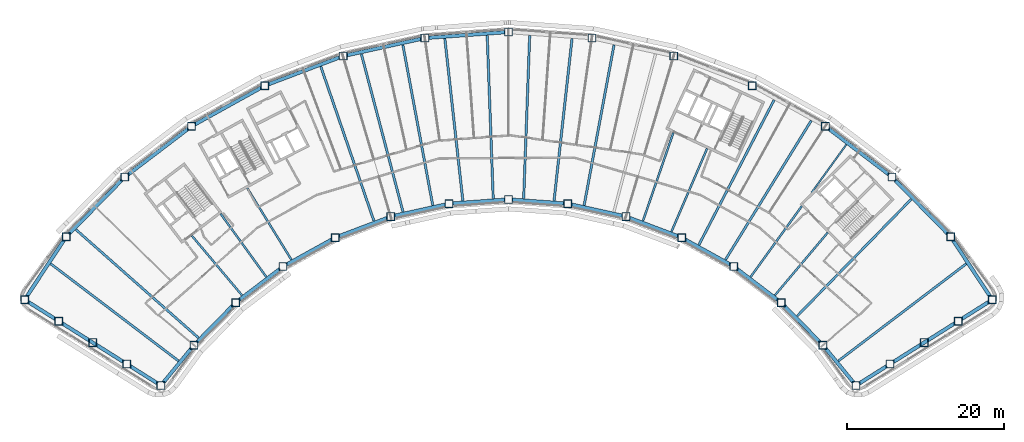
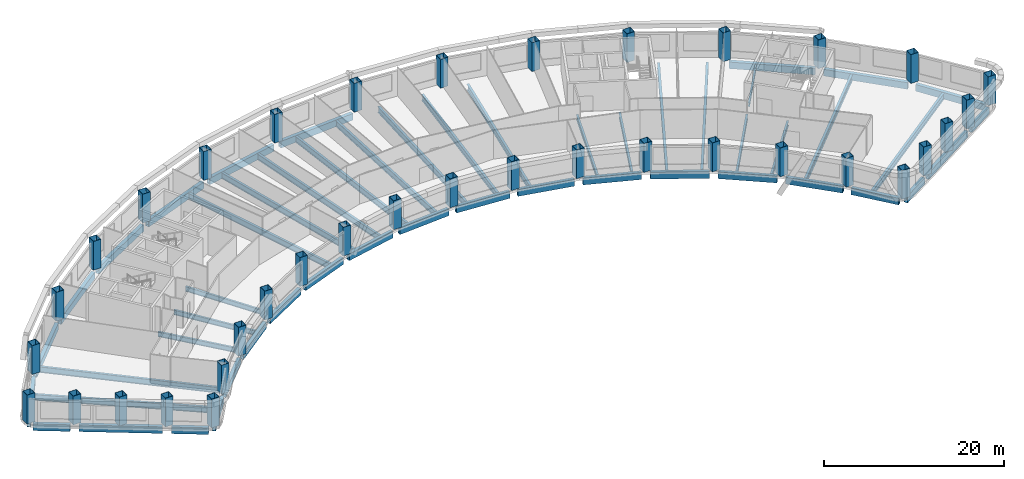
# One storey, part 1 of 11: 52 beams, 36 columns.
"""IFC4 building model written with IfcOpenShell, lengths in metres."""

from ifc_helpers import new_model, si_unit, direction, frame, origin, origin_2d, place, context, subcontext, project, spatial, hollow_rectangle, i_section, extrude, material, material_profile, profile_set, type_object, element, save


model = new_model("IFC4")

# Units and contexts
model_context = context("Model", 3, precision=1e-05, world=origin(), true_north=direction((0.0, 1.0)))
body_context = subcontext(model_context, "Body", "Model", "MODEL_VIEW")
ifc_project = project(units=[si_unit("LENGTHUNIT", "METRE"), si_unit("AREAUNIT", "SQUARE_METRE"), si_unit("VOLUMEUNIT", "CUBIC_METRE"), si_unit("PLANEANGLEUNIT", "RADIAN"), si_unit("MASSUNIT", "GRAM", prefix="KILO")], contexts=[model_context])

# Site, building, storey
site_placement = place(None, origin())
site = spatial("IfcSite", under=ifc_project, at=site_placement, CompositionType="ELEMENT")
building_placement = place(site_placement, origin())
building = spatial("IfcBuilding", under=site, at=building_placement, Name="Tuul Gate Civic Tower", CompositionType="ELEMENT")
storey_placement = place(building_placement, frame((0.0, 0.0, 142.39990234375)))
storey = spatial("IfcBuildingStorey", under=building, at=storey_placement, Name="Level 32", CompositionType="ELEMENT", Elevation=142.39990234375)

# Columns
ifc_material_1 = material(Name="Steel S355", Category="steel")
ifc_material_profile_1 = material_profile(ifc_material_1, hollow_rectangle(XDim=1.0, YDim=1.0, WallThickness=0.0400390625, at=origin_2d()), Name="BOX1000x1000x40")
ifc_profile_set_1 = profile_set([ifc_material_profile_1], Name="Steel S355")
column_type = type_object("IfcColumnType", Name="STR-COLUMN-BOX1000x1000x40", PredefinedType="COLUMN", material=ifc_profile_set_1)
for number, where, z_axis, x_axis, name in (
    (1, (67.044921875, -24.89697265625, 0.0), (0.0, 0.0, 1.0), (1.0, 0.0, 0.0), "Column"),
    (2, (61.74609375, -16.884033203125, 0.0), (0.0, 0.0, 1.0), (1.0, 0.0, 0.0), "Column"),
    (3, (54.27197265625, -9.259033203125, 0.0), (0.0, 0.0, 1.0), (1.0, 0.0, 0.0), "Column"),
    (4, (45.77587890625, -2.791015625, 0.0), (0.0, 0.0, 1.0), (1.0, 0.0, 0.0), "Column"),
    (5, (36.43798828125, 2.385009765625, 0.0), (0.0, 0.0, 1.0), (1.0, 0.0, 0.0), "Column"),
    (6, (26.450927734375, 6.162109375, 0.0), (0.0, 0.0, 1.0), (1.0, 0.0, 0.0), "Column"),
    (7, (16.02294921875, 8.4599609375, 0.0), (0.0, 0.0, 1.0), (1.0, 0.0, 0.0), "Column"),
    (8, (5.3740234375, 9.23193359375, 0.0), (0.0, 0.0, 1.0), (1.0, 0.0, 0.0), "Column"),
    (9, (-5.27490234375, 8.4599609375, 0.0), (0.0, 0.0, 1.0), (1.0, 0.0, 0.0), "Column"),
    (10, (-15.702880859375, 6.162109375, 0.0), (0.0, 0.0, 1.0), (1.0, 0.0, 0.0), "Column"),
    (11, (-25.68994140625, 2.385009765625, 0.0), (0.0, 0.0, 1.0), (1.0, 0.0, 0.0), "Column"),
    (12, (-35.028076171875, -2.791015625, 0.0), (0.0, 0.0, 1.0), (1.0, 0.0, 0.0), "Column"),
    (13, (-43.52392578125, -9.259033203125, 0.0), (0.0, 0.0, 1.0), (1.0, 0.0, 0.0), "Column"),
    (14, (-50.998046875, -16.884033203125, 0.0), (0.0, 0.0, 1.0), (1.0, 0.0, 0.0), "Column"),
    (15, (-56.297119140625, -24.89697265625, 0.0), (0.0, 0.0, 1.0), (1.0, 0.0, 0.0), "Column"),
    (16, (-51.9541015625, -27.631103515625, 0.0), (0.0, 0.0, 1.0), (1.0, 0.0, 0.0), "Column"),
    (17, (-47.612060546875, -30.365966796875, 0.0), (0.0, 0.0, 1.0), (1.0, 0.0, 0.0), "Column"),
    (18, (-43.26904296875, -33.10009765625, 0.0), (0.0, 0.0, 1.0), (1.0, 0.0, 0.0), "Column"),
    (19, (-38.927001953125, -35.8349609375, 0.0), (0.0, 0.0, 1.0), (1.0, 0.0, 0.0), "Column"),
    (20, (-34.70703125, -30.693115234375, 0.0), (0.0, 0.0, 1.0), (1.0, 0.0, 0.0), "Column"),
    (21, (-29.39306640625, -25.27099609375, 0.0), (0.0, 0.0, 1.0), (1.0, 0.0, 0.0), "Column"),
    (22, (-23.35302734375, -20.672119140625, 0.0), (0.0, 0.0, 1.0), (1.0, 0.0, 0.0), "Column"),
    (23, (-16.712890625, -16.991943359375, 0.0), (0.0, 0.0, 1.0), (1.0, 0.0, 0.0), "Column"),
    (24, (-9.612060546875, -14.306884765625, 0.0), (0.0, 0.0, 1.0), (1.0, 0.0, 0.0), "Column"),
    (25, (-2.197998046875, -12.673095703125, 0.0), (0.0, 0.0, 1.0), (1.0, 0.0, 0.0), "Column"),
    (26, (5.3740234375, -12.1240234375, 0.0), (0.0, 0.0, 1.0), (1.0, 0.0, 0.0), "Column"),
    (27, (12.946044921875, -12.673095703125, 0.0), (0.0, 0.0, 1.0), (1.0, 0.0, 0.0), "Column"),
    (28, (20.360107421875, -14.306884765625, 0.0), (0.0, 0.0, 1.0), (1.0, 0.0, 0.0), "Column"),
    (29, (27.4609375, -16.991943359375, 0.0), (0.0, 0.0, 1.0), (1.0, 0.0, 0.0), "Column"),
    (30, (34.10107421875, -20.672119140625, 0.0), (0.0, 0.0, 1.0), (1.0, 0.0, 0.0), "Column"),
    (31, (40.14111328125, -25.27099609375, 0.0), (0.0, 0.0, 1.0), (1.0, 0.0, 0.0), "Column"),
    (32, (45.455078125, -30.693115234375, 0.0), (0.0, 0.0, 1.0), (1.0, 0.0, 0.0), "Column"),
    (33, (49.675048828125, -35.8349609375, 0.0), (0.0, 0.0, 1.0), (1.0, 0.0, 0.0), "Column"),
    (34, (54.01708984375, -33.10009765625, 0.0), (0.0, 0.0, 1.0), (1.0, 0.0, 0.0), "Column"),
    (35, (58.360107421875, -30.365966796875, 0.0), (0.0, 0.0, 1.0), (1.0, 0.0, 0.0), "Column"),
    (36, (62.701904296875, -27.631103515625, 0.0), (0.0, 0.0, 1.0), (1.0, 0.0, 0.0), "Column"),
):
    element("IfcColumn", number, at=place(storey_placement, frame(where, z_axis=z_axis, x_axis=x_axis)), inside=storey, type_object=column_type, Name=name, PredefinedType="COLUMN", context=body_context, shape_type="SweptSolid", body=[
        extrude(hollow_rectangle(XDim=1.0, YDim=1.0, WallThickness=0.0400390625, at=origin_2d()), origin(), (0.0, 0.0, 1.0), 3.900146484375),
    ])

# Beams
ifc_material_2 = material(Name="Steel S355", Category="steel")
ifc_material_profile_2 = material_profile(ifc_material_2, i_section(OverallWidth=0.199951171875, OverallDepth=0.5, WebThickness=0.010009765625, FlangeThickness=0.01611328125, at=origin_2d()), Name="PG500x200x10x16")
ifc_profile_set_2 = profile_set([ifc_material_profile_2], Name="Steel S355")
beam_type_1 = type_object("IfcBeamType", Name="STR-FLOOR BEAM-PG500x200x10x16", PredefinedType="BEAM", material=ifc_profile_set_2)
beam_1_placement = place(storey_placement, frame((43.999267578125, -11.26806640625, -0.5498046875), z_axis=(0.586082415156, 0.810251444087, 0.0), x_axis=(-0.810251444087, 0.586082415156, 0.0)))
element("IfcBeam", 37, at=beam_1_placement, inside=storey, type_object=beam_type_1, Name="Floor beam", PredefinedType="BEAM", context=body_context, shape_type="SweptSolid", body=[
    extrude(i_section(OverallWidth=0.199951171875, OverallDepth=0.5, WebThickness=0.010009765625, FlangeThickness=0.01611328125, at=origin_2d()), origin(), (0.0, 0.0, 1.0), 7.573486328125),
])
ifc_material_3 = material(Name="Steel S355", Category="steel")
ifc_material_profile_3 = material_profile(ifc_material_3, i_section(OverallWidth=0.25, OverallDepth=0.64990234375, WebThickness=0.011962890625, FlangeThickness=0.02001953125, at=origin_2d()), Name="PG650x250x12x20")
ifc_profile_set_3 = profile_set([ifc_material_profile_3], Name="Steel S355")
beam_type_2 = type_object("IfcBeamType", Name="STR-FLOOR BEAM-PG650x250x12x20", PredefinedType="BEAM", material=ifc_profile_set_3)
beam_2_placement = place(storey_placement, frame((39.332275390625, -24.341064453125, -0.625), z_axis=(0.644139340378, 0.764908171075, 0.0), x_axis=(-0.764908171075, 0.644139340378, 0.0)))
element("IfcBeam", 38, at=beam_2_placement, inside=storey, type_object=beam_type_2, Name="Floor beam", PredefinedType="BEAM", context=body_context, shape_type="SweptSolid", body=[
    extrude(i_section(OverallWidth=0.25, OverallDepth=0.64990234375, WebThickness=0.011962890625, FlangeThickness=0.02001953125, at=origin_2d()), origin(), (0.0, 0.0, 1.0), 10.45751953125),
])
beam_3_placement = place(storey_placement, frame((36.244140625, -21.989501953125, -0.625), z_axis=(0.586079949971, 0.810253227234, 0.0), x_axis=(-0.810253227234, 0.586079949971, 0.0)))
element("IfcBeam", 39, at=beam_3_placement, inside=storey, type_object=beam_type_2, Name="Floor beam", PredefinedType="BEAM", context=body_context, shape_type="SweptSolid", body=[
    extrude(i_section(OverallWidth=0.25, OverallDepth=0.64990234375, WebThickness=0.011962890625, FlangeThickness=0.02001953125, at=origin_2d()), origin(), (0.0, 0.0, 1.0), 11.128173828125),
])
beam_4_placement = place(storey_placement, frame((26.150634765625, -16.229248046875, -0.625), z_axis=(0.394192627131, 0.919027841099, 0.0), x_axis=(-0.919027841099, 0.394192627131, 0.0)))
element("IfcBeam", 40, at=beam_4_placement, inside=storey, type_object=beam_type_2, Name="Floor beam", PredefinedType="BEAM", context=body_context, shape_type="SweptSolid", body=[
    extrude(i_section(OverallWidth=0.25, OverallDepth=0.64990234375, WebThickness=0.011962890625, FlangeThickness=0.02001953125, at=origin_2d()), origin(), (0.0, 0.0, 1.0), 11.533935546875),
])
beam_5_placement = place(storey_placement, frame((22.520263671875, -14.8564453125, -0.625), z_axis=(0.32548222654, 0.945548158587, 0.0), x_axis=(-0.945548158587, 0.32548222654, 0.0)))
element("IfcBeam", 41, at=beam_5_placement, inside=storey, type_object=beam_type_2, Name="Floor beam", PredefinedType="BEAM", context=body_context, shape_type="SweptSolid", body=[
    extrude(i_section(OverallWidth=0.25, OverallDepth=0.64990234375, WebThickness=0.011962890625, FlangeThickness=0.02001953125, at=origin_2d()), origin(), (0.0, 0.0, 1.0), 11.883544921875),
])
beam_6_placement = place(storey_placement, frame((-22.29248046875, -19.79833984375, -0.625), z_axis=(-0.524846383073, 0.851196965558, 0.0), x_axis=(-0.851196965558, -0.524846383073, 0.0)))
element("IfcBeam", 42, at=beam_6_placement, inside=storey, type_object=beam_type_2, Name="Floor beam", PredefinedType="BEAM", context=body_context, shape_type="SweptSolid", body=[
    extrude(i_section(OverallWidth=0.25, OverallDepth=0.64990234375, WebThickness=0.011962890625, FlangeThickness=0.02001953125, at=origin_2d()), origin(), (0.0, 0.0, 1.0), 10.7275390625),
])
beam_7_placement = place(storey_placement, frame((-25.49609375, -21.989501953125, -0.625), z_axis=(-0.586076139419, 0.810255983504, 0.0), x_axis=(-0.810255983504, -0.586076139419, 0.0)))
element("IfcBeam", 43, at=beam_7_placement, inside=storey, type_object=beam_type_2, Name="Floor beam", PredefinedType="BEAM", context=body_context, shape_type="SweptSolid", body=[
    extrude(i_section(OverallWidth=0.25, OverallDepth=0.64990234375, WebThickness=0.011962890625, FlangeThickness=0.02001953125, at=origin_2d()), origin(), (0.0, 0.0, 1.0), 9.922119140625),
])
beam_8_placement = place(storey_placement, frame((-28.584228515625, -24.341064453125, -0.625), z_axis=(-0.644136502782, 0.764910560644, 0.0), x_axis=(-0.764910560644, -0.644136502782, 0.0)))
element("IfcBeam", 44, at=beam_8_placement, inside=storey, type_object=beam_type_2, Name="Floor beam", PredefinedType="BEAM", context=body_context, shape_type="SweptSolid", body=[
    extrude(i_section(OverallWidth=0.25, OverallDepth=0.64990234375, WebThickness=0.011962890625, FlangeThickness=0.02001953125, at=origin_2d()), origin(), (0.0, 0.0, 1.0), 9.931396484375),
])
ifc_material_4 = material(Name="Steel S355", Category="steel")
ifc_material_profile_4 = material_profile(ifc_material_4, i_section(OverallWidth=0.300048828125, OverallDepth=0.800048828125, WebThickness=0.013916015625, FlangeThickness=0.02490234375, at=origin_2d()), Name="PG800x300x14x25")
ifc_profile_set_4 = profile_set([ifc_material_profile_4], Name="Steel S355")
beam_type_3 = type_object("IfcBeamType", Name="STR-FLOOR BEAM-PG800x300x14x25", PredefinedType="BEAM", material=ifc_profile_set_4)
beam_9_placement = place(storey_placement, frame((47.4287109375, -32.703857421875, -0.699951171875), z_axis=(0.796150928405, 0.60509809056, 0.0), x_axis=(-0.60509809056, 0.796150928405, 0.0)))
element("IfcBeam", 45, at=beam_9_placement, inside=storey, type_object=beam_type_3, Name="Floor beam", PredefinedType="BEAM", context=body_context, shape_type="SweptSolid", body=[
    extrude(i_section(OverallWidth=0.300048828125, OverallDepth=0.800048828125, WebThickness=0.013916015625, FlangeThickness=0.02490234375, at=origin_2d()), origin(), (0.0, 0.0, 1.0), 20.462646484375),
])
beam_10_placement = place(storey_placement, frame((42.172607421875, -26.986572265625, -0.699951171875), z_axis=(0.698684495675, 0.715429923544, 0.0), x_axis=(-0.715429923544, 0.698684495675, 0.0)))
element("IfcBeam", 46, at=beam_10_placement, inside=storey, type_object=beam_type_3, Name="Floor beam", PredefinedType="BEAM", context=body_context, shape_type="SweptSolid", body=[
    extrude(i_section(OverallWidth=0.300048828125, OverallDepth=0.800048828125, WebThickness=0.013916015625, FlangeThickness=0.02490234375, at=origin_2d()), origin(), (0.0, 0.0, 1.0), 20.804931640625),
])
beam_11_placement = place(storey_placement, frame((33.040283203125, -19.79833984375, -0.699951171875), z_axis=(0.524860669537, 0.851188156387, 0.0), x_axis=(-0.851188156387, 0.524860669537, 0.0)))
element("IfcBeam", 47, at=beam_11_placement, inside=storey, type_object=beam_type_3, Name="Floor beam", PredefinedType="BEAM", context=body_context, shape_type="SweptSolid", body=[
    extrude(i_section(OverallWidth=0.300048828125, OverallDepth=0.800048828125, WebThickness=0.013916015625, FlangeThickness=0.02490234375, at=origin_2d()), origin(), (0.0, 0.0, 1.0), 20.821533203125),
])
beam_12_placement = place(storey_placement, frame((29.6455078125, -17.916748046875, -0.699951171875), z_axis=(0.460777413818, 0.887515732207, 0.0), x_axis=(-0.887515732207, 0.460777413818, 0.0)))
element("IfcBeam", 48, at=beam_12_placement, inside=storey, type_object=beam_type_3, Name="Floor beam", PredefinedType="BEAM", context=body_context, shape_type="SweptSolid", body=[
    extrude(i_section(OverallWidth=0.300048828125, OverallDepth=0.800048828125, WebThickness=0.013916015625, FlangeThickness=0.02490234375, at=origin_2d()), origin(), (0.0, 0.0, 1.0), 20.80712890625),
])
beam_13_placement = place(storey_placement, frame((15.0224609375, -12.874755859375, -0.699951171875), z_axis=(0.183147342328, 0.98308547492, 0.0), x_axis=(-0.98308547492, 0.183147342328, 0.0)))
element("IfcBeam", 49, at=beam_13_placement, inside=storey, type_object=beam_type_3, Name="Floor beam", PredefinedType="BEAM", context=body_context, shape_type="SweptSolid", body=[
    extrude(i_section(OverallWidth=0.300048828125, OverallDepth=0.800048828125, WebThickness=0.013916015625, FlangeThickness=0.02490234375, at=origin_2d()), origin(), (0.0, 0.0, 1.0), 20.811279296875),
])
beam_14_placement = place(storey_placement, frame((11.185302734375, -12.294677734375, -0.699951171875), z_axis=(0.110287344613, 0.993899744249, 0.0), x_axis=(-0.993899744249, 0.110287344613, 0.0)))
element("IfcBeam", 50, at=beam_14_placement, inside=storey, type_object=beam_type_3, Name="Floor beam", PredefinedType="BEAM", context=body_context, shape_type="SweptSolid", body=[
    extrude(i_section(OverallWidth=0.300048828125, OverallDepth=0.800048828125, WebThickness=0.013916015625, FlangeThickness=0.02490234375, at=origin_2d()), origin(), (0.0, 0.0, 1.0), 20.815185546875),
])
for number, where, z_axis, x_axis, name in (
    (51, (7.314453125, -12.013916015625, -0.699951171875), (0.036820764609, 0.999321885727, 0.0), (-0.999321885727, 0.036820764609, 0.0), "Floor beam"),
    (52, (3.43359375, -12.013916015625, -0.699951171875), (-0.036832478792, 0.999321454041, 0.0), (-0.999321454041, -0.036832478792, 0.0), "Floor beam"),
):
    element("IfcBeam", number, at=place(storey_placement, frame(where, z_axis=z_axis, x_axis=x_axis)), inside=storey, type_object=beam_type_3, Name=name, PredefinedType="BEAM", context=body_context, shape_type="SweptSolid", body=[
        extrude(i_section(OverallWidth=0.300048828125, OverallDepth=0.800048828125, WebThickness=0.013916015625, FlangeThickness=0.02490234375, at=origin_2d()), origin(), (0.0, 0.0, 1.0), 20.813232421875),
    ])
beam_15_placement = place(storey_placement, frame((-0.437255859375, -12.294677734375, -0.699951171875), z_axis=(-0.110287344613, 0.993899744249, 0.0), x_axis=(-0.993899744249, -0.110287344613, 0.0)))
element("IfcBeam", 53, at=beam_15_placement, inside=storey, type_object=beam_type_3, Name="Floor beam", PredefinedType="BEAM", context=body_context, shape_type="SweptSolid", body=[
    extrude(i_section(OverallWidth=0.300048828125, OverallDepth=0.800048828125, WebThickness=0.013916015625, FlangeThickness=0.02490234375, at=origin_2d()), origin(), (0.0, 0.0, 1.0), 20.815185546875),
])
beam_16_placement = place(storey_placement, frame((-4.2744140625, -12.874755859375, -0.699951171875), z_axis=(-0.183147342328, 0.98308547492, 0.0), x_axis=(-0.98308547492, -0.183147342328, 0.0)))
element("IfcBeam", 54, at=beam_16_placement, inside=storey, type_object=beam_type_3, Name="Floor beam", PredefinedType="BEAM", context=body_context, shape_type="SweptSolid", body=[
    extrude(i_section(OverallWidth=0.300048828125, OverallDepth=0.800048828125, WebThickness=0.013916015625, FlangeThickness=0.02490234375, at=origin_2d()), origin(), (0.0, 0.0, 1.0), 20.811279296875),
])
beam_17_placement = place(storey_placement, frame((-8.064697265625, -13.7099609375, -0.699951171875), z_axis=(-0.255004720301, 0.96693980817, 0.0), x_axis=(-0.96693980817, -0.255004720301, 0.0)))
element("IfcBeam", 55, at=beam_17_placement, inside=storey, type_object=beam_type_3, Name="Floor beam", PredefinedType="BEAM", context=body_context, shape_type="SweptSolid", body=[
    extrude(i_section(OverallWidth=0.300048828125, OverallDepth=0.800048828125, WebThickness=0.013916015625, FlangeThickness=0.02490234375, at=origin_2d()), origin(), (0.0, 0.0, 1.0), 20.817626953125),
])
beam_18_placement = place(storey_placement, frame((-11.772216796875, -14.8564453125, -0.699951171875), z_axis=(-0.325486974479, 0.945546524209, 0.0), x_axis=(-0.945546524209, -0.325486974479, 0.0)))
element("IfcBeam", 56, at=beam_18_placement, inside=storey, type_object=beam_type_3, Name="Floor beam", PredefinedType="BEAM", context=body_context, shape_type="SweptSolid", body=[
    extrude(i_section(OverallWidth=0.300048828125, OverallDepth=0.800048828125, WebThickness=0.013916015625, FlangeThickness=0.02490234375, at=origin_2d()), origin(), (0.0, 0.0, 1.0), 20.809326171875),
])
beam_19_placement = place(storey_placement, frame((-34.1416015625, -29.759033203125, -0.699951171875), z_axis=(-0.749453243269, 0.662057275584, 0.0), x_axis=(-0.662057275584, -0.749453243269, 0.0)))
element("IfcBeam", 57, at=beam_19_placement, inside=storey, type_object=beam_type_3, Name="Floor beam", PredefinedType="BEAM", context=body_context, shape_type="SweptSolid", body=[
    extrude(i_section(OverallWidth=0.300048828125, OverallDepth=0.800048828125, WebThickness=0.013916015625, FlangeThickness=0.02490234375, at=origin_2d()), origin(), (0.0, 0.0, 1.0), 20.828369140625),
])
beam_20_placement = place(storey_placement, frame((-36.6806640625, -32.703857421875, -0.699951171875), z_axis=(-0.796150928405, 0.60509809056, 0.0), x_axis=(-0.60509809056, -0.796150928405, 0.0)))
element("IfcBeam", 58, at=beam_20_placement, inside=storey, type_object=beam_type_3, Name="Floor beam", PredefinedType="BEAM", context=body_context, shape_type="SweptSolid", body=[
    extrude(i_section(OverallWidth=0.300048828125, OverallDepth=0.800048828125, WebThickness=0.013916015625, FlangeThickness=0.02490234375, at=origin_2d()), origin(), (0.0, 0.0, 1.0), 20.462646484375),
])
ifc_material_5 = material(Name="Steel S355", Category="steel")
ifc_material_profile_5 = material_profile(ifc_material_5, hollow_rectangle(XDim=0.449951171875, YDim=0.89990234375, WallThickness=0.02490234375, at=origin_2d()), Name="BOX900x450x25")
ifc_profile_set_5 = profile_set([ifc_material_profile_5], Name="Steel S355")
beam_type_4 = type_object("IfcBeamType", Name="STR-SPANDREL BEAM-BOX900x450x25", PredefinedType="BEAM", material=ifc_profile_set_5)
beam_21_placement = place(storey_placement, frame((66.769287109375, -24.47998046875, -0.75), z_axis=(-0.551606651845, 0.834104370951, 0.0), x_axis=(-0.834104370951, -0.551606651845, 0.0)))
element("IfcBeam", 59, at=beam_21_placement, inside=storey, type_object=beam_type_4, Name="Spandrel beam", PredefinedType="BEAM", context=body_context, shape_type="SweptSolid", body=[
    extrude(hollow_rectangle(XDim=0.449951171875, YDim=0.89990234375, WallThickness=0.02490234375, at=origin_2d()), origin(), (0.0, 0.0, 1.0), 8.606689453125),
])
beam_22_placement = place(storey_placement, frame((61.39599609375, -16.52685546875, -0.75), z_axis=(-0.699994726763, 0.714148011622, 0.0), x_axis=(-0.714148011622, -0.699994726763, 0.0)))
element("IfcBeam", 60, at=beam_22_placement, inside=storey, type_object=beam_type_4, Name="Spandrel beam", PredefinedType="BEAM", context=body_context, shape_type="SweptSolid", body=[
    extrude(hollow_rectangle(XDim=0.449951171875, YDim=0.89990234375, WallThickness=0.02490234375, at=origin_2d()), origin(), (0.0, 0.0, 1.0), 9.677001953125),
])
beam_23_placement = place(storey_placement, frame((53.874267578125, -8.9560546875, -0.75), z_axis=(-0.795665611116, 0.605736110273, 0.0), x_axis=(-0.605736110273, -0.795665611116, 0.0)))
element("IfcBeam", 61, at=beam_23_placement, inside=storey, type_object=beam_type_4, Name="Spandrel beam", PredefinedType="BEAM", context=body_context, shape_type="SweptSolid", body=[
    extrude(hollow_rectangle(XDim=0.449951171875, YDim=0.89990234375, WallThickness=0.02490234375, at=origin_2d()), origin(), (0.0, 0.0, 1.0), 9.677978515625),
])
beam_24_placement = place(storey_placement, frame((4.875244140625, 9.19580078125, -0.75), z_axis=(-0.997382449667, -0.072306632453, 0.0), x_axis=(0.072306632453, -0.997382449667, 0.0)))
element("IfcBeam", 62, at=beam_24_placement, inside=storey, type_object=beam_type_4, Name="Spandrel beam", PredefinedType="BEAM", context=body_context, shape_type="SweptSolid", body=[
    extrude(hollow_rectangle(XDim=0.449951171875, YDim=0.89990234375, WallThickness=0.02490234375, at=origin_2d()), origin(), (0.0, 0.0, 1.0), 9.677001953125),
])
beam_25_placement = place(storey_placement, frame((-5.76318359375, 8.352294921875, -0.75), z_axis=(-0.976569557508, -0.215201996619, 0.0), x_axis=(0.215201996619, -0.976569557508, 0.0)))
element("IfcBeam", 63, at=beam_25_placement, inside=storey, type_object=beam_type_4, Name="Spandrel beam", PredefinedType="BEAM", context=body_context, shape_type="SweptSolid", body=[
    extrude(hollow_rectangle(XDim=0.449951171875, YDim=0.89990234375, WallThickness=0.02490234375, at=origin_2d()), origin(), (0.0, 0.0, 1.0), 9.67822265625),
])
beam_26_placement = place(storey_placement, frame((-16.170654296875, 5.985107421875, -0.75), z_axis=(-0.935342665374, -0.353742983436, 0.0), x_axis=(0.353742983436, -0.935342665374, 0.0)))
element("IfcBeam", 64, at=beam_26_placement, inside=storey, type_object=beam_type_4, Name="Spandrel beam", PredefinedType="BEAM", context=body_context, shape_type="SweptSolid", body=[
    extrude(hollow_rectangle(XDim=0.449951171875, YDim=0.89990234375, WallThickness=0.02490234375, at=origin_2d()), origin(), (0.0, 0.0, 1.0), 9.677490234375),
])
beam_27_placement = place(storey_placement, frame((-26.127197265625, 2.142578125, -0.75), z_axis=(-0.874626955885, -0.484796542933, 0.0), x_axis=(0.484796542933, -0.874626955885, 0.0)))
element("IfcBeam", 65, at=beam_27_placement, inside=storey, type_object=beam_type_4, Name="Spandrel beam", PredefinedType="BEAM", context=body_context, shape_type="SweptSolid", body=[
    extrude(hollow_rectangle(XDim=0.449951171875, YDim=0.89990234375, WallThickness=0.02490234375, at=origin_2d()), origin(), (0.0, 0.0, 1.0), 9.676513671875),
])
beam_28_placement = place(storey_placement, frame((-35.42578125, -3.09375, -0.75), z_axis=(-0.795665611116, -0.605736110273, 0.0), x_axis=(0.605736110273, -0.795665611116, 0.0)))
element("IfcBeam", 66, at=beam_28_placement, inside=storey, type_object=beam_type_4, Name="Spandrel beam", PredefinedType="BEAM", context=body_context, shape_type="SweptSolid", body=[
    extrude(hollow_rectangle(XDim=0.449951171875, YDim=0.89990234375, WallThickness=0.02490234375, at=origin_2d()), origin(), (0.0, 0.0, 1.0), 9.677978515625),
])
beam_29_placement = place(storey_placement, frame((-43.8740234375, -9.615966796875, -0.75), z_axis=(-0.699994726763, -0.714148011622, 0.0), x_axis=(0.714148011622, -0.699994726763, 0.0)))
element("IfcBeam", 67, at=beam_29_placement, inside=storey, type_object=beam_type_4, Name="Spandrel beam", PredefinedType="BEAM", context=body_context, shape_type="SweptSolid", body=[
    extrude(hollow_rectangle(XDim=0.449951171875, YDim=0.89990234375, WallThickness=0.02490234375, at=origin_2d()), origin(), (0.0, 0.0, 1.0), 9.677001953125),
])
beam_30_placement = place(storey_placement, frame((-51.273681640625, -17.301025390625, -0.75), z_axis=(-0.551606651845, -0.834104370951, 0.0), x_axis=(0.834104370951, -0.551606651845, 0.0)))
element("IfcBeam", 68, at=beam_30_placement, inside=storey, type_object=beam_type_4, Name="Spandrel beam", PredefinedType="BEAM", context=body_context, shape_type="SweptSolid", body=[
    extrude(hollow_rectangle(XDim=0.449951171875, YDim=0.89990234375, WallThickness=0.02490234375, at=origin_2d()), origin(), (0.0, 0.0, 1.0), 8.606689453125),
])
beam_31_placement = place(storey_placement, frame((-55.873779296875, -25.163330078125, -0.75), z_axis=(0.846247640598, -0.532789762273, 0.0), x_axis=(0.532789762273, 0.846247640598, 0.0)))
element("IfcBeam", 69, at=beam_31_placement, inside=storey, type_object=beam_type_4, Name="Spandrel beam", PredefinedType="BEAM", context=body_context, shape_type="SweptSolid", body=[
    extrude(hollow_rectangle(XDim=0.449951171875, YDim=0.89990234375, WallThickness=0.02490234375, at=origin_2d()), origin(), (0.0, 0.0, 1.0), 4.1318359375),
])
beam_32_placement = place(storey_placement, frame((-51.531005859375, -27.8974609375, -0.75), z_axis=(0.846210833603, -0.532848219565, 0.0), x_axis=(0.532848219565, 0.846210833603, 0.0)))
element("IfcBeam", 70, at=beam_32_placement, inside=storey, type_object=beam_type_4, Name="Spandrel beam", PredefinedType="BEAM", context=body_context, shape_type="SweptSolid", body=[
    extrude(hollow_rectangle(XDim=0.449951171875, YDim=0.89990234375, WallThickness=0.02490234375, at=origin_2d()), origin(), (0.0, 0.0, 1.0), 9.263427734375),
])
beam_33_placement = place(storey_placement, frame((-42.845947265625, -33.366455078125, -0.75), z_axis=(0.846117367302, -0.532996623582, 0.0), x_axis=(0.532996623582, 0.846117367302, 0.0)))
element("IfcBeam", 71, at=beam_33_placement, inside=storey, type_object=beam_type_4, Name="Spandrel beam", PredefinedType="BEAM", context=body_context, shape_type="SweptSolid", body=[
    extrude(hollow_rectangle(XDim=0.449951171875, YDim=0.89990234375, WallThickness=0.02490234375, at=origin_2d()), origin(), (0.0, 0.0, 1.0), 4.131591796875),
])
beam_34_placement = place(storey_placement, frame((-38.60986328125, -35.448486328125, -0.75), z_axis=(0.634417883175, 0.772990264821, 0.0), x_axis=(-0.772990264821, 0.634417883175, 0.0)))
element("IfcBeam", 72, at=beam_34_placement, inside=storey, type_object=beam_type_4, Name="Spandrel beam", PredefinedType="BEAM", context=body_context, shape_type="SweptSolid", body=[
    extrude(hollow_rectangle(XDim=0.449951171875, YDim=0.89990234375, WallThickness=0.02490234375, at=origin_2d()), origin(), (0.0, 0.0, 1.0), 5.65185546875),
])
beam_35_placement = place(storey_placement, frame((-34.35693359375, -30.3359375, -0.75), z_axis=(0.699959943252, 0.714182104118, 0.0), x_axis=(-0.714182104118, 0.699959943252, 0.0)))
element("IfcBeam", 73, at=beam_35_placement, inside=storey, type_object=beam_type_4, Name="Spandrel beam", PredefinedType="BEAM", context=body_context, shape_type="SweptSolid", body=[
    extrude(hollow_rectangle(XDim=0.449951171875, YDim=0.89990234375, WallThickness=0.02490234375, at=origin_2d()), origin(), (0.0, 0.0, 1.0), 6.591796875),
])
for number, where, z_axis, x_axis, name in (
    (74, (-28.9951171875, -24.968017578125, -0.75), (0.795618733299, 0.605797681758, 0.0), (-0.605797681758, 0.795618733299, 0.0), "Spandrel beam"),
    (75, (-22.915771484375, -20.4296875, -0.75), (0.874651244821, 0.484752720399, 0.0), (-0.484752720399, 0.874651244821, 0.0), "Spandrel beam"),
):
    element("IfcBeam", number, at=place(storey_placement, frame(where, z_axis=z_axis, x_axis=x_axis)), inside=storey, type_object=beam_type_4, Name=name, PredefinedType="BEAM", context=body_context, shape_type="SweptSolid", body=[
        extrude(hollow_rectangle(XDim=0.449951171875, YDim=0.89990234375, WallThickness=0.02490234375, at=origin_2d()), origin(), (0.0, 0.0, 1.0), 6.591552734375),
    ])
beam_36_placement = place(storey_placement, frame((-16.245361328125, -16.815185546875, -0.75), z_axis=(0.935371380161, 0.353667048472, 0.0), x_axis=(-0.353667048472, 0.935371380161, 0.0)))
element("IfcBeam", 76, at=beam_36_placement, inside=storey, type_object=beam_type_4, Name="Spandrel beam", PredefinedType="BEAM", context=body_context, shape_type="SweptSolid", body=[
    extrude(hollow_rectangle(XDim=0.449951171875, YDim=0.89990234375, WallThickness=0.02490234375, at=origin_2d()), origin(), (0.0, 0.0, 1.0), 6.591796875),
])
beam_37_placement = place(storey_placement, frame((-9.123779296875, -14.199462890625, -0.75), z_axis=(0.97655858912, 0.215251764258, 0.0), x_axis=(-0.215251764258, 0.97655858912, 0.0)))
element("IfcBeam", 77, at=beam_37_placement, inside=storey, type_object=beam_type_4, Name="Spandrel beam", PredefinedType="BEAM", context=body_context, shape_type="SweptSolid", body=[
    extrude(hollow_rectangle(XDim=0.449951171875, YDim=0.89990234375, WallThickness=0.02490234375, at=origin_2d()), origin(), (0.0, 0.0, 1.0), 6.592041015625),
])
for number, where, z_axis, x_axis, name in (
    (78, (-1.69921875, -12.636962890625, -0.75), (0.997380460519, 0.072334065112, 0.0), (-0.072334065112, 0.997380460519, 0.0), "Spandrel beam"),
    (79, (5.872802734375, -12.16015625, -0.75), (0.997380460519, -0.072334065112, 0.0), (0.072334065112, 0.997380460519, 0.0), "Spandrel beam"),
):
    element("IfcBeam", number, at=place(storey_placement, frame(where, z_axis=z_axis, x_axis=x_axis)), inside=storey, type_object=beam_type_4, Name=name, PredefinedType="BEAM", context=body_context, shape_type="SweptSolid", body=[
        extrude(hollow_rectangle(XDim=0.449951171875, YDim=0.89990234375, WallThickness=0.02490234375, at=origin_2d()), origin(), (0.0, 0.0, 1.0), 6.591796875),
    ])
beam_38_placement = place(storey_placement, frame((13.434326171875, -12.780517578125, -0.75), z_axis=(0.97655858912, -0.215251764258, 0.0), x_axis=(0.215251764258, 0.97655858912, 0.0)))
element("IfcBeam", 80, at=beam_38_placement, inside=storey, type_object=beam_type_4, Name="Spandrel beam", PredefinedType="BEAM", context=body_context, shape_type="SweptSolid", body=[
    extrude(hollow_rectangle(XDim=0.449951171875, YDim=0.89990234375, WallThickness=0.02490234375, at=origin_2d()), origin(), (0.0, 0.0, 1.0), 6.592041015625),
])
beam_39_placement = place(storey_placement, frame((20.82763671875, -14.48388671875, -0.75), z_axis=(0.935371380161, -0.353667048472, 0.0), x_axis=(0.353667048472, 0.935371380161, 0.0)))
element("IfcBeam", 81, at=beam_39_placement, inside=storey, type_object=beam_type_4, Name="Spandrel beam", PredefinedType="BEAM", context=body_context, shape_type="SweptSolid", body=[
    extrude(hollow_rectangle(XDim=0.449951171875, YDim=0.89990234375, WallThickness=0.02490234375, at=origin_2d()), origin(), (0.0, 0.0, 1.0), 6.591796875),
])
beam_40_placement = place(storey_placement, frame((27.8984375, -17.234375, -0.75), z_axis=(0.874642541027, -0.484768424535, 0.0), x_axis=(0.484768424535, 0.874642541027, 0.0)))
element("IfcBeam", 82, at=beam_40_placement, inside=storey, type_object=beam_type_4, Name="Spandrel beam", PredefinedType="BEAM", context=body_context, shape_type="SweptSolid", body=[
    extrude(hollow_rectangle(XDim=0.449951171875, YDim=0.89990234375, WallThickness=0.02490234375, at=origin_2d()), origin(), (0.0, 0.0, 1.0), 6.59130859375),
])
beam_41_placement = place(storey_placement, frame((34.498779296875, -20.974853515625, -0.75), z_axis=(0.795618733299, -0.605797681758, 0.0), x_axis=(0.605797681758, 0.795618733299, 0.0)))
element("IfcBeam", 83, at=beam_41_placement, inside=storey, type_object=beam_type_4, Name="Spandrel beam", PredefinedType="BEAM", context=body_context, shape_type="SweptSolid", body=[
    extrude(hollow_rectangle(XDim=0.449951171875, YDim=0.89990234375, WallThickness=0.02490234375, at=origin_2d()), origin(), (0.0, 0.0, 1.0), 6.591552734375),
])
beam_42_placement = place(storey_placement, frame((40.490966796875, -25.628173828125, -0.75), z_axis=(0.699959943252, -0.714182104118, 0.0), x_axis=(0.714182104118, 0.699959943252, 0.0)))
element("IfcBeam", 84, at=beam_42_placement, inside=storey, type_object=beam_type_4, Name="Spandrel beam", PredefinedType="BEAM", context=body_context, shape_type="SweptSolid", body=[
    extrude(hollow_rectangle(XDim=0.449951171875, YDim=0.89990234375, WallThickness=0.02490234375, at=origin_2d()), origin(), (0.0, 0.0, 1.0), 6.591796875),
])
beam_43_placement = place(storey_placement, frame((45.772216796875, -31.07958984375, -0.75), z_axis=(0.634417883175, -0.772990264821, 0.0), x_axis=(0.772990264821, 0.634417883175, 0.0)))
element("IfcBeam", 85, at=beam_43_placement, inside=storey, type_object=beam_type_4, Name="Spandrel beam", PredefinedType="BEAM", context=body_context, shape_type="SweptSolid", body=[
    extrude(hollow_rectangle(XDim=0.449951171875, YDim=0.89990234375, WallThickness=0.02490234375, at=origin_2d()), origin(), (0.0, 0.0, 1.0), 5.65185546875),
])
beam_44_placement = place(storey_placement, frame((50.09814453125, -35.568603515625, -0.75), z_axis=(0.846117367302, 0.532996623582, 0.0), x_axis=(-0.532996623582, 0.846117367302, 0.0)))
element("IfcBeam", 86, at=beam_44_placement, inside=storey, type_object=beam_type_4, Name="Spandrel beam", PredefinedType="BEAM", context=body_context, shape_type="SweptSolid", body=[
    extrude(hollow_rectangle(XDim=0.449951171875, YDim=0.89990234375, WallThickness=0.02490234375, at=origin_2d()), origin(), (0.0, 0.0, 1.0), 4.131591796875),
])
beam_45_placement = place(storey_placement, frame((54.440185546875, -32.83349609375, -0.75), z_axis=(0.846203350411, 0.532860103361, 0.0), x_axis=(-0.532860103361, 0.846203350411, 0.0)))
element("IfcBeam", 87, at=beam_45_placement, inside=storey, type_object=beam_type_4, Name="Spandrel beam", PredefinedType="BEAM", context=body_context, shape_type="SweptSolid", body=[
    extrude(hollow_rectangle(XDim=0.449951171875, YDim=0.89990234375, WallThickness=0.02490234375, at=origin_2d()), origin(), (0.0, 0.0, 1.0), 9.26318359375),
])
beam_46_placement = place(storey_placement, frame((63.125244140625, -27.36474609375, -0.75), z_axis=(0.846247640598, 0.532789762273, 0.0), x_axis=(-0.532789762273, 0.846247640598, 0.0)))
element("IfcBeam", 88, at=beam_46_placement, inside=storey, type_object=beam_type_4, Name="Spandrel beam", PredefinedType="BEAM", context=body_context, shape_type="SweptSolid", body=[
    extrude(hollow_rectangle(XDim=0.449951171875, YDim=0.89990234375, WallThickness=0.02490234375, at=origin_2d()), origin(), (0.0, 0.0, 1.0), 4.1318359375),
])

save(model, "model.ifc")
